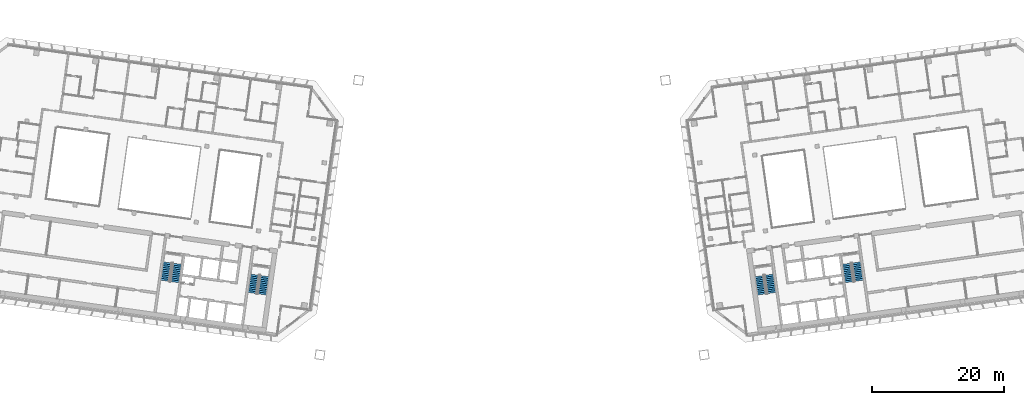
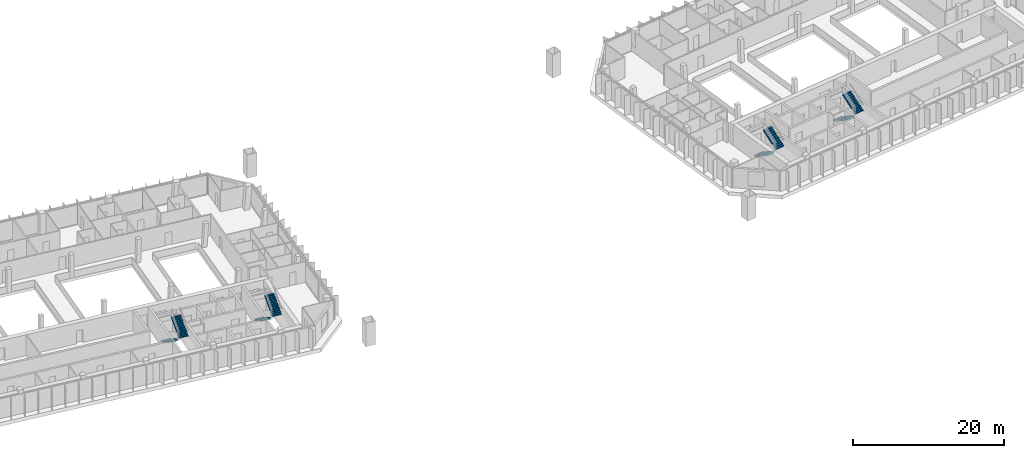
# One storey, part 21 of 23: 8 stair flights, 4 elements without a shape of their own.
"""IFC4 building model written with IfcOpenShell, lengths in metres."""

import ifcopenshell
import ifcopenshell.guid

model = None  # the IFC model being written
_history = None  # IfcOwnerHistory: only IFC2X3 demands one
_inside = {}  # id of a spatial element -> (the spatial element, [elements in it])
_under = {}  # id of a project, library or spatial element -> (it, [spatial elements below it])
_declared = {}  # id of a project -> (the project, [libraries it declares])
_typed = {}  # id of a type object -> (the type object, [elements of that type])
_made_of = {}  # id of a material, layer set ... -> (it, [elements and type objects made of it])


def new_model(schema):
    """Start an empty IFC model of exactly this schema.

    Asked for "IFC4X3", IfcOpenShell would pick the latest addendum, in which some entities
    have other attributes; the version numbers below select the first issue.
    IFC2X3 requires an IfcOwnerHistory on every rooted entity: one is made here for all.
    """
    global model, _history
    if schema == "IFC4X3":
        model = ifcopenshell.file(schema_version=(4, 3, 0, 0))
    else:
        model = ifcopenshell.file(schema=schema)
    _inside.clear()
    _under.clear()
    _declared.clear()
    _typed.clear()
    _made_of.clear()
    _history = None
    if model.schema == "IFC2X3":
        org = make("IfcOrganization", Name="unknown")
        user = make(
            "IfcPersonAndOrganization",
            ThePerson=make("IfcPerson", FamilyName="unknown"),
            TheOrganization=org,
        )
        app = make(
            "IfcApplication",
            ApplicationDeveloper=org,
            Version="unknown",
            ApplicationFullName="unknown",
            ApplicationIdentifier="unknown",
        )
        _history = make(
            "IfcOwnerHistory",
            OwningUser=user,
            OwningApplication=app,
            ChangeAction="ADDED",
            CreationDate=0,
        )
    return model


def make(cls, **values):
    """One entity of the class cls with the attributes given. An attribute that is None is left unset."""
    return model.create_entity(
        cls, **{name: value for name, value in values.items() if value is not None}
    )


def rooted(cls, **values):
    """An entity with a GlobalId (a new one), such as an element, a storey or a relation."""
    return make(cls, GlobalId=ifcopenshell.guid.new(), OwnerHistory=_history, **values)


def si_unit(unit_type, name, prefix=None):
    """IfcSIUnit, for example si_unit("LENGTHUNIT", "METRE", prefix="MILLI")."""
    return make("IfcSIUnit", UnitType=unit_type, Prefix=prefix, Name=name)


def assignment(units):
    """IfcUnitAssignment: the units of a project."""
    return None if units is None else make("IfcUnitAssignment", Units=units)


def point(xyz):
    """IfcCartesianPoint."""
    return None if xyz is None else make("IfcCartesianPoint", Coordinates=xyz)


def direction(xyz):
    """IfcDirection."""
    return None if xyz is None else make("IfcDirection", DirectionRatios=xyz)


def frame(location, z_axis=None, x_axis=None):
    """IfcAxis2Placement3D, a coordinate frame: its origin and axes. An axis left out is left unset."""
    return make(
        "IfcAxis2Placement3D",
        Location=point(location),
        Axis=direction(z_axis),
        RefDirection=direction(x_axis),
    )


def origin():
    """The frame at (0, 0, 0) with its axes left unset."""
    return frame((0.0, 0.0, 0.0))


def place(relative_to, where):
    """IfcLocalPlacement: puts the frame where relative to a parent placement (None: the world)."""
    return make(
        "IfcLocalPlacement", PlacementRelTo=relative_to, RelativePlacement=where
    )


def context(
    kind, dimensions, precision=None, world=None, true_north=None, identifier=None
):
    """IfcGeometricRepresentationContext, for example the 3D "Model" context."""
    return make(
        "IfcGeometricRepresentationContext",
        ContextIdentifier=identifier,
        ContextType=kind,
        CoordinateSpaceDimension=dimensions,
        Precision=precision,
        WorldCoordinateSystem=world,
        TrueNorth=true_north,
    )


def subcontext(parent, identifier, kind, view, scale=None):
    """IfcGeometricRepresentationSubContext, for example "Body" below "Model"."""
    return make(
        "IfcGeometricRepresentationSubContext",
        ContextIdentifier=identifier,
        ContextType=kind,
        ParentContext=parent,
        TargetScale=scale,
        TargetView=view,
    )


def project(units=None, contexts=None):
    """IfcProject with its units and contexts."""
    return rooted(
        "IfcProject",
        Name="project",
        RepresentationContexts=contexts,
        UnitsInContext=assignment(units),
    )


def spatial(cls, under=None, at=None, **own):
    """A site, building, storey or space (cls), placed at a placement, below another one or the project."""
    s = rooted(cls, ObjectPlacement=at, **own)
    if under is not None:
        _under.setdefault(under.id(), (under, []))[1].append(s)
    return s


def polyline(points):
    """IfcPolyline through the points."""
    return make("IfcPolyline", Points=[point(p) for p in points])


def outline(outer, holes=None, kind="AREA"):
    """IfcArbitraryClosedProfileDef: a profile drawn as a closed curve; with holes, ...WithVoids."""
    if holes is None:
        return make("IfcArbitraryClosedProfileDef", ProfileType=kind, OuterCurve=outer)
    return make(
        "IfcArbitraryProfileDefWithVoids",
        ProfileType=kind,
        OuterCurve=outer,
        InnerCurves=holes,
    )


def extrude(swept, where, along, depth):
    """IfcExtrudedAreaSolid: the profile swept, set in the frame where, extruded along a direction by depth."""
    return make(
        "IfcExtrudedAreaSolid",
        SweptArea=swept,
        Position=where,
        ExtrudedDirection=direction(along),
        Depth=depth,
    )


def shape(context_of_items, identifier, shape_type, items):
    """IfcShapeRepresentation: the items that make up one representation, for example the "Body"."""
    return make(
        "IfcShapeRepresentation",
        ContextOfItems=context_of_items,
        RepresentationIdentifier=identifier,
        RepresentationType=shape_type,
        Items=items,
    )


def material(Name=None, Category=None):
    """IfcMaterial."""
    return make("IfcMaterial", Name=Name, Category=Category)


def made_of(thing, what):
    """Note that an element or type object is made of a material, layer set ...; save() writes the relation."""
    if what is not None:
        _made_of.setdefault(what.id(), (what, []))[1].append(thing)
    return thing


def type_object(cls, material=None, **own):
    """A type object (cls), such as IfcWallType, which elements share."""
    return made_of(rooted(cls, **own), material)


def element(
    cls,
    number,
    at=None,
    inside=None,
    cuts=None,
    type_object=None,
    material=None,
    context=None,
    identifier="Body",
    shape_type=None,
    held_by="IfcProductDefinitionShape",
    body=None,
    shapes=None,
    **own,
):
    """One element of the class cls, such as IfcWall. Its Tag is "e" and its number.

    at: its placement. inside: the storey or other place that contains it. cuts: it is an
    opening in that element (IfcRelVoidsElement). A single representation is given by context,
    identifier, shape_type and body (its items); several are given by shapes. held_by: the class
    of the entity that holds the representations. save() writes the other relations.
    """
    e = rooted(cls, Tag="e%d" % number, ObjectPlacement=at, **own)
    if body is not None:
        shapes = [shape(context, identifier, shape_type, body)]
    if shapes is not None:
        e.Representation = make(held_by, Representations=shapes)
    if inside is not None:
        _inside.setdefault(inside.id(), (inside, []))[1].append(e)
    if cuts is not None:
        rooted(
            "IfcRelVoidsElement", RelatingBuildingElement=cuts, RelatedOpeningElement=e
        )
    if type_object is not None:
        _typed.setdefault(type_object.id(), (type_object, []))[1].append(e)
    return made_of(e, material)


def aggregate(whole, parts):
    """IfcRelAggregates: a whole, such as a stair, and the parts it consists of."""
    return rooted("IfcRelAggregates", RelatingObject=whole, RelatedObjects=parts)


def save(model, path):
    """Write the relations noted so far, then the file.

    IfcRelAggregates (storeys below a building ...), IfcRelContainedInSpatialStructure (elements
    in a storey), IfcRelDefinesByType, IfcRelAssociatesMaterial and IfcRelDeclares: one each for
    every whole, place, type object, material and project.
    """
    for whole, parts in _under.values():
        aggregate(whole, parts)
    for where, things in _inside.values():
        rooted(
            "IfcRelContainedInSpatialStructure",
            RelatedElements=things,
            RelatingStructure=where,
        )
    for kind, things in _typed.values():
        rooted("IfcRelDefinesByType", RelatedObjects=things, RelatingType=kind)
    for what, things in _made_of.values():
        rooted("IfcRelAssociatesMaterial", RelatedObjects=things, RelatingMaterial=what)
    for by, libraries in _declared.values():
        rooted("IfcRelDeclares", RelatingContext=by, RelatedDefinitions=libraries)
    model.write(path)


model = new_model("IFC4")

# Units and contexts
model_context = context("Model", 3, precision=1e-05, world=origin(), true_north=direction((0.0, 1.0)))
body_context = subcontext(model_context, "Body", "Model", "MODEL_VIEW")
ifc_project = project(units=[si_unit("LENGTHUNIT", "METRE"), si_unit("AREAUNIT", "SQUARE_METRE"), si_unit("VOLUMEUNIT", "CUBIC_METRE"), si_unit("PLANEANGLEUNIT", "RADIAN"), si_unit("MASSUNIT", "GRAM", prefix="KILO")], contexts=[model_context])

# Site, building, storey
site_placement = place(None, origin())
site = spatial("IfcSite", under=ifc_project, at=site_placement, CompositionType="ELEMENT")
building_placement = place(site_placement, origin())
building = spatial("IfcBuilding", under=site, at=building_placement, Name="Mirante Cascada Hotel Towers", CompositionType="ELEMENT")
storey_placement = place(building_placement, frame((0.0, 0.0, 187.8)))
storey = spatial("IfcBuildingStorey", under=building, at=storey_placement, Name="L44", CompositionType="ELEMENT", Elevation=187.8)

# Stair, stair flights
ifc_material_1 = material(Name="Concrete C35/45", Category="concrete")
stair_type = type_object("IfcStairType", Name="Exit stair half-turn 1350 concrete C35/45", PredefinedType="HALF_TURN_STAIR", material=ifc_material_1)
stair_1_placement = place(storey_placement, origin())
stair_1 = element("IfcStair", 1, at=stair_1_placement, inside=storey, type_object=stair_type, Name="L44 Exit stair A", PredefinedType="HALF_TURN_STAIR")
ifc_material_2 = material(Name="Concrete C35/45", Category="concrete")
stair_flight_type = type_object("IfcStairFlightType", Name="Exit stair flight 1350 concrete C35/45", PredefinedType="STRAIGHT", material=ifc_material_2)
stair_flight_1_placement = place(storey_placement, frame((-38.9417, -11.195, 0.0), z_axis=(0.0, 0.0, 1.0), x_axis=(-0.1391731, -0.9902681, 0.0)))
stair_flight_1 = element("IfcStairFlight", 2, at=stair_flight_1_placement, type_object=stair_flight_type, Name="ST1-A flight 1", NumberOfRisers=11, NumberOfTreads=10, PredefinedType="STRAIGHT", RiserHeight=0.172727273, TreadLength=0.28, context=body_context, shape_type="SweptSolid", body=[
    extrude(outline(polyline([(0.0, 0.0), (0.0, 0.1727), (0.28, 0.1727), (0.28, 0.3455), (0.56, 0.3455), (0.56, 0.5182), (0.84, 0.5182), (0.84, 0.6909), (1.12, 0.6909), (1.12, 0.8636), (1.4, 0.8636), (1.4, 1.0364), (1.68, 1.0364), (1.68, 1.2091), (1.96, 1.2091), (1.96, 1.3818), (2.24, 1.3818), (2.24, 1.5545), (2.52, 1.5545), (2.52, 1.7273), (2.8, 1.7273), (2.8, 1.9), (2.8, 1.551), (0.2857, 0.0), (0.0, 0.0)])), frame((0.0, 0.675, 0.0), z_axis=(0.0, -1.0, 0.0), x_axis=(1.0, 0.0, 0.0)), (0.0, 0.0, 1.0), 1.35),
])
stair_flight_2_placement = place(storey_placement, frame((-37.846, -14.1765, 1.9), z_axis=(0.0, 0.0, 1.0), x_axis=(0.1391731, 0.9902681, 0.0)))
stair_flight_2 = element("IfcStairFlight", 3, at=stair_flight_2_placement, type_object=stair_flight_type, Name="ST1-A flight 2", NumberOfRisers=11, NumberOfTreads=10, PredefinedType="STRAIGHT", RiserHeight=0.172727273, TreadLength=0.28, context=body_context, shape_type="SweptSolid", body=[
    extrude(outline(polyline([(0.0, 0.0), (0.0, 0.1727), (0.28, 0.1727), (0.28, 0.3455), (0.56, 0.3455), (0.56, 0.5182), (0.84, 0.5182), (0.84, 0.6909), (1.12, 0.6909), (1.12, 0.8636), (1.4, 0.8636), (1.4, 1.0364), (1.68, 1.0364), (1.68, 1.2091), (1.96, 1.2091), (1.96, 1.3818), (2.24, 1.3818), (2.24, 1.5545), (2.52, 1.5545), (2.52, 1.7273), (2.8, 1.7273), (2.8, 1.9), (2.8, 1.551), (0.2857, 0.0), (0.0, 0.0)])), frame((0.0, 0.675, 0.0), z_axis=(0.0, -1.0, 0.0), x_axis=(1.0, 0.0, 0.0)), (0.0, 0.0, 1.0), 1.35),
])
aggregate(stair_1, [stair_flight_1, stair_flight_2])

stair_2_placement = place(storey_placement, origin())
stair_2 = element("IfcStair", 4, at=stair_2_placement, inside=storey, type_object=stair_type, Name="L44 Exit stair B", PredefinedType="HALF_TURN_STAIR")
stair_flight_3_placement = place(storey_placement, frame((-52.1618, -9.3371, 0.0), z_axis=(0.0, 0.0, 1.0), x_axis=(-0.1391731, -0.9902681, 0.0)))
stair_flight_3 = element("IfcStairFlight", 5, at=stair_flight_3_placement, type_object=stair_flight_type, Name="ST1-B flight 1", NumberOfRisers=11, NumberOfTreads=10, PredefinedType="STRAIGHT", RiserHeight=0.172727273, TreadLength=0.28, context=body_context, shape_type="SweptSolid", body=[
    extrude(outline(polyline([(0.0, 0.0), (0.0, 0.1727), (0.28, 0.1727), (0.28, 0.3455), (0.56, 0.3455), (0.56, 0.5182), (0.84, 0.5182), (0.84, 0.6909), (1.12, 0.6909), (1.12, 0.8636), (1.4, 0.8636), (1.4, 1.0364), (1.68, 1.0364), (1.68, 1.2091), (1.96, 1.2091), (1.96, 1.3818), (2.24, 1.3818), (2.24, 1.5545), (2.52, 1.5545), (2.52, 1.7273), (2.8, 1.7273), (2.8, 1.9), (2.8, 1.551), (0.2857, 0.0), (0.0, 0.0)])), frame((0.0, 0.675, 0.0), z_axis=(0.0, -1.0, 0.0), x_axis=(1.0, 0.0, 0.0)), (0.0, 0.0, 1.0), 1.35),
])
stair_flight_4_placement = place(storey_placement, frame((-51.0661, -12.3186, 1.9), z_axis=(0.0, 0.0, 1.0), x_axis=(0.1391731, 0.9902681, 0.0)))
stair_flight_4 = element("IfcStairFlight", 6, at=stair_flight_4_placement, type_object=stair_flight_type, Name="ST1-B flight 2", NumberOfRisers=11, NumberOfTreads=10, PredefinedType="STRAIGHT", RiserHeight=0.172727273, TreadLength=0.28, context=body_context, shape_type="SweptSolid", body=[
    extrude(outline(polyline([(0.0, 0.0), (0.0, 0.1727), (0.28, 0.1727), (0.28, 0.3455), (0.56, 0.3455), (0.56, 0.5182), (0.84, 0.5182), (0.84, 0.6909), (1.12, 0.6909), (1.12, 0.8636), (1.4, 0.8636), (1.4, 1.0364), (1.68, 1.0364), (1.68, 1.2091), (1.96, 1.2091), (1.96, 1.3818), (2.24, 1.3818), (2.24, 1.5545), (2.52, 1.5545), (2.52, 1.7273), (2.8, 1.7273), (2.8, 1.9), (2.8, 1.551), (0.2857, 0.0), (0.0, 0.0)])), frame((0.0, 0.675, 0.0), z_axis=(0.0, -1.0, 0.0), x_axis=(1.0, 0.0, 0.0)), (0.0, 0.0, 1.0), 1.35),
])
aggregate(stair_2, [stair_flight_3, stair_flight_4])

stair_3_placement = place(storey_placement, origin())
stair_3 = element("IfcStair", 7, at=stair_3_placement, inside=storey, type_object=stair_type, Name="L44 Exit stair A", PredefinedType="HALF_TURN_STAIR")
stair_flight_5_placement = place(storey_placement, frame((37.4563, -11.4038, 0.0), z_axis=(0.0, 0.0, 1.0), x_axis=(0.1391731, -0.9902681, 0.0)))
stair_flight_5 = element("IfcStairFlight", 8, at=stair_flight_5_placement, type_object=stair_flight_type, Name="ST2-A flight 1", NumberOfRisers=11, NumberOfTreads=10, PredefinedType="STRAIGHT", RiserHeight=0.172727273, TreadLength=0.28, context=body_context, shape_type="SweptSolid", body=[
    extrude(outline(polyline([(0.0, 0.0), (0.0, 0.1727), (0.28, 0.1727), (0.28, 0.3455), (0.56, 0.3455), (0.56, 0.5182), (0.84, 0.5182), (0.84, 0.6909), (1.12, 0.6909), (1.12, 0.8636), (1.4, 0.8636), (1.4, 1.0364), (1.68, 1.0364), (1.68, 1.2091), (1.96, 1.2091), (1.96, 1.3818), (2.24, 1.3818), (2.24, 1.5545), (2.52, 1.5545), (2.52, 1.7273), (2.8, 1.7273), (2.8, 1.9), (2.8, 1.551), (0.2857, 0.0), (0.0, 0.0)])), frame((0.0, 0.675, 0.0), z_axis=(0.0, -1.0, 0.0), x_axis=(1.0, 0.0, 0.0)), (0.0, 0.0, 1.0), 1.35),
])
stair_flight_6_placement = place(storey_placement, frame((39.3314, -13.9678, 1.9), z_axis=(0.0, 0.0, 1.0), x_axis=(-0.1391731, 0.9902681, 0.0)))
stair_flight_6 = element("IfcStairFlight", 9, at=stair_flight_6_placement, type_object=stair_flight_type, Name="ST2-A flight 2", NumberOfRisers=11, NumberOfTreads=10, PredefinedType="STRAIGHT", RiserHeight=0.172727273, TreadLength=0.28, context=body_context, shape_type="SweptSolid", body=[
    extrude(outline(polyline([(0.0, 0.0), (0.0, 0.1727), (0.28, 0.1727), (0.28, 0.3455), (0.56, 0.3455), (0.56, 0.5182), (0.84, 0.5182), (0.84, 0.6909), (1.12, 0.6909), (1.12, 0.8636), (1.4, 0.8636), (1.4, 1.0364), (1.68, 1.0364), (1.68, 1.2091), (1.96, 1.2091), (1.96, 1.3818), (2.24, 1.3818), (2.24, 1.5545), (2.52, 1.5545), (2.52, 1.7273), (2.8, 1.7273), (2.8, 1.9), (2.8, 1.551), (0.2857, 0.0), (0.0, 0.0)])), frame((0.0, 0.675, 0.0), z_axis=(0.0, -1.0, 0.0), x_axis=(1.0, 0.0, 0.0)), (0.0, 0.0, 1.0), 1.35),
])
aggregate(stair_3, [stair_flight_5, stair_flight_6])

stair_4_placement = place(storey_placement, origin())
stair_4 = element("IfcStair", 10, at=stair_4_placement, inside=storey, type_object=stair_type, Name="L44 Exit stair B", PredefinedType="HALF_TURN_STAIR")
stair_flight_7_placement = place(storey_placement, frame((50.6764, -9.5458, 0.0), z_axis=(0.0, 0.0, 1.0), x_axis=(0.1391731, -0.9902681, 0.0)))
stair_flight_7 = element("IfcStairFlight", 11, at=stair_flight_7_placement, type_object=stair_flight_type, Name="ST2-B flight 1", NumberOfRisers=11, NumberOfTreads=10, PredefinedType="STRAIGHT", RiserHeight=0.172727273, TreadLength=0.28, context=body_context, shape_type="SweptSolid", body=[
    extrude(outline(polyline([(0.0, 0.0), (0.0, 0.1727), (0.28, 0.1727), (0.28, 0.3455), (0.56, 0.3455), (0.56, 0.5182), (0.84, 0.5182), (0.84, 0.6909), (1.12, 0.6909), (1.12, 0.8636), (1.4, 0.8636), (1.4, 1.0364), (1.68, 1.0364), (1.68, 1.2091), (1.96, 1.2091), (1.96, 1.3818), (2.24, 1.3818), (2.24, 1.5545), (2.52, 1.5545), (2.52, 1.7273), (2.8, 1.7273), (2.8, 1.9), (2.8, 1.551), (0.2857, 0.0), (0.0, 0.0)])), frame((0.0, 0.675, 0.0), z_axis=(0.0, -1.0, 0.0), x_axis=(1.0, 0.0, 0.0)), (0.0, 0.0, 1.0), 1.35),
])
stair_flight_8_placement = place(storey_placement, frame((52.5515, -12.1098, 1.9), z_axis=(0.0, 0.0, 1.0), x_axis=(-0.1391731, 0.9902681, 0.0)))
stair_flight_8 = element("IfcStairFlight", 12, at=stair_flight_8_placement, type_object=stair_flight_type, Name="ST2-B flight 2", NumberOfRisers=11, NumberOfTreads=10, PredefinedType="STRAIGHT", RiserHeight=0.172727273, TreadLength=0.28, context=body_context, shape_type="SweptSolid", body=[
    extrude(outline(polyline([(0.0, 0.0), (0.0, 0.1727), (0.28, 0.1727), (0.28, 0.3455), (0.56, 0.3455), (0.56, 0.5182), (0.84, 0.5182), (0.84, 0.6909), (1.12, 0.6909), (1.12, 0.8636), (1.4, 0.8636), (1.4, 1.0364), (1.68, 1.0364), (1.68, 1.2091), (1.96, 1.2091), (1.96, 1.3818), (2.24, 1.3818), (2.24, 1.5545), (2.52, 1.5545), (2.52, 1.7273), (2.8, 1.7273), (2.8, 1.9), (2.8, 1.551), (0.2857, 0.0), (0.0, 0.0)])), frame((0.0, 0.675, 0.0), z_axis=(0.0, -1.0, 0.0), x_axis=(1.0, 0.0, 0.0)), (0.0, 0.0, 1.0), 1.35),
])
aggregate(stair_4, [stair_flight_7, stair_flight_8])

save(model, "model.ifc")
